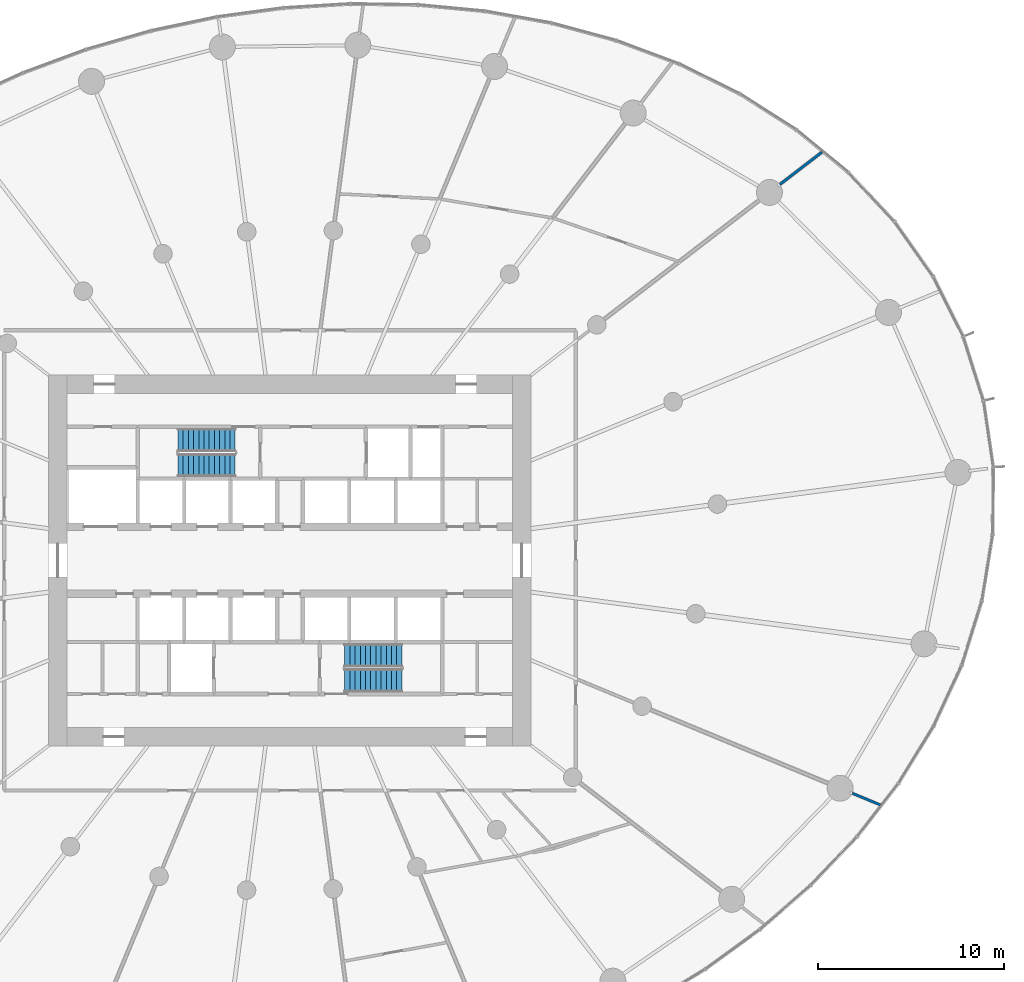
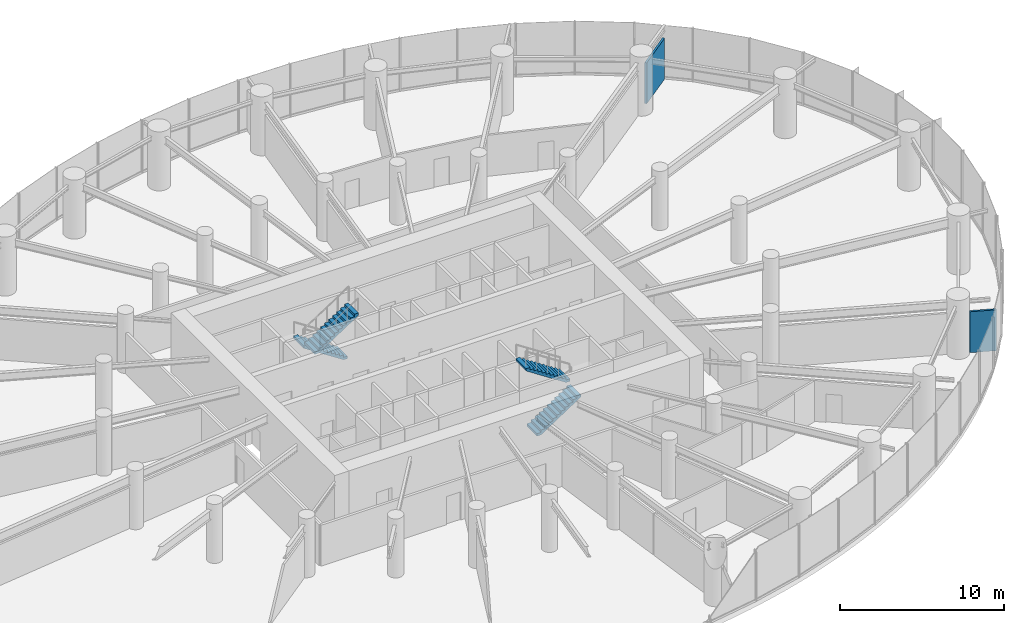
# One storey, part 15 of 18: 4 stair flights, 2 walls, 2 elements without a shape of their own.
"""IFC4 building model written with IfcOpenShell, lengths in metres."""

from ifc_helpers import new_model, si_unit, direction, frame, frame_2d, origin, place, context, subcontext, project, spatial, line, indexed_curve, rectangle, outline, extrude, material, layer, layer_set, type_object, element, aggregate, save


model = new_model("IFC4")

# Units and contexts
model_context = context("Model", 3, precision=1e-05, world=origin(), true_north=direction((0.0, 1.0)))
body_context = subcontext(model_context, "Body", "Model", "MODEL_VIEW")
ifc_project = project(units=[si_unit("LENGTHUNIT", "METRE"), si_unit("AREAUNIT", "SQUARE_METRE"), si_unit("VOLUMEUNIT", "CUBIC_METRE"), si_unit("PLANEANGLEUNIT", "RADIAN"), si_unit("MASSUNIT", "GRAM", prefix="KILO")], contexts=[model_context])

# Site, building, storey
site_placement = place(None, origin())
site = spatial("IfcSite", under=ifc_project, at=site_placement, CompositionType="ELEMENT")
building_placement = place(site_placement, origin())
building = spatial("IfcBuilding", under=site, at=building_placement, Name="Spindrift Exchange Tower", CompositionType="ELEMENT")
storey_placement = place(building_placement, frame((0.0, 0.0, 62.199951171875)))
storey = spatial("IfcBuildingStorey", under=building, at=storey_placement, Name="L14", CompositionType="ELEMENT", Elevation=62.199951171875)

# Walls
ifc_material_1 = material(Name="Fire-rated plasterboard partition", Category="gypsum")
ifc_layer_1 = layer(ifc_material_1, 0.139892578125)
ifc_layer_set_1 = layer_set([ifc_layer_1], Name="W-PART-140")
wall_type_1 = type_object("IfcWallType", Name="W-PART-140", PredefinedType="PARTITIONING", material=ifc_layer_set_1)
wall_1_placement = place(storey_placement, frame((78.394287109375, 68.253173828125, 0.0), z_axis=(0.0, 0.0, 1.0), x_axis=(0.793354252031, 0.608760240804, 0.0)))
element("IfcWall", 1, at=wall_1_placement, inside=storey, type_object=wall_type_1, Name="L14 Partition wall 93", PredefinedType="PARTITIONING", context=body_context, shape_type="SweptSolid", body=[
    extrude(rectangle(XDim=2.86865234375, YDim=0.139892578125, at=frame_2d((1.434326171875, 0.0))), origin(), (0.0, 0.0, 1.0), 3.050048828125),
])
ifc_layer_2 = layer(ifc_material_1, 0.139892578125)
ifc_layer_set_2 = layer_set([ifc_layer_2], Name="W-PLANT-140")
wall_type_2 = type_object("IfcWallType", Name="W-PLANT-140", PredefinedType="PARTITIONING", material=ifc_layer_set_2)
wall_2_placement = place(storey_placement, frame((82.2958984375, 35.450927734375, 0.0), z_axis=(0.0, 0.0, 1.0), x_axis=(0.923875488976, -0.382693194178, 0.0)))
element("IfcWall", 2, at=wall_2_placement, inside=storey, type_object=wall_type_2, Name="L14 Partition wall 107", PredefinedType="PARTITIONING", context=body_context, shape_type="SweptSolid", body=[
    extrude(rectangle(XDim=1.64208984375, YDim=0.139892578125, at=frame_2d((0.821044921875, 0.0))), origin(), (0.0, 0.0, 1.0), 3.050048828125),
])

# Stair, stair flights
ifc_material_2 = material(Name="Concrete 50 MPa", Category="concrete")
stair_type = type_object("IfcStairType", Name="ST-1250-R183", PredefinedType="HALF_TURN_STAIR", material=ifc_material_2)
stair_1_placement = place(storey_placement, origin())
stair_1 = element("IfcStair", 3, at=stair_1_placement, inside=storey, type_object=stair_type, Name="L14 Exit stair ST1", PredefinedType="HALF_TURN_STAIR")
stair_flight_type = type_object("IfcStairFlightType", Name="STF-1250-R183", PredefinedType="STRAIGHT", material=ifc_material_2)
stair_flight_1_placement = place(storey_placement, frame((49.050048828125, 54.47509765625, 0.0), z_axis=(0.0, 0.0, 1.0), x_axis=(-1.0, 0.0, 0.0)))
stair_flight_1 = element("IfcStairFlight", 4, at=stair_flight_1_placement, type_object=stair_flight_type, Name="ST1 flight 1", NumberOfRisers=12, NumberOfTreads=11, PredefinedType="STRAIGHT", RiserHeight=0.183333333, TreadLength=0.28, context=body_context, shape_type="SweptSolid", body=[
    extrude(outline(indexed_curve([(0.0, 0.0), (0.0, 0.18359375), (0.2802734375, 0.18359375), (0.2802734375, 0.3662109375), (0.5595703125, 0.3662109375), (0.5595703125, 0.5498046875), (0.83984375, 0.5498046875), (0.83984375, 0.7333984375), (1.1201171875, 0.7333984375), (1.1201171875, 0.9169921875), (1.400390625, 0.9169921875), (1.400390625, 1.099609375), (1.6796875, 1.099609375), (1.6796875, 1.283203125), (1.9599609375, 1.283203125), (1.9599609375, 1.466796875), (2.240234375, 1.466796875), (2.240234375, 1.650390625), (2.51953125, 1.650390625), (2.51953125, 1.8330078125), (2.7998046875, 1.8330078125), (2.7998046875, 2.0166015625), (3.080078125, 2.0166015625), (3.080078125, 2.2001953125), (3.080078125, 1.837890625), (0.2734375, 0.0)], segments=[line(1, 2, 3, 4, 5, 6, 7, 8, 9, 10, 11, 12, 13, 14, 15, 16, 17, 18, 19, 20, 21, 22, 23, 24, 25, 26, 1)], self_intersect=False)), frame((0.0, 0.625, 0.0), z_axis=(0.0, -1.0, 0.0), x_axis=(1.0, 0.0, 0.0)), (0.0, 0.0, 1.0), 1.25),
])
stair_flight_2_placement = place(storey_placement, frame((45.969970703125, 53.125, 2.199951171875), z_axis=(0.0, 0.0, 1.0), x_axis=(1.0, 0.0, 0.0)))
stair_flight_2 = element("IfcStairFlight", 5, at=stair_flight_2_placement, type_object=stair_flight_type, Name="ST1 flight 2", NumberOfRisers=12, NumberOfTreads=11, PredefinedType="STRAIGHT", RiserHeight=0.183333333, TreadLength=0.28, context=body_context, shape_type="SweptSolid", body=[
    extrude(outline(indexed_curve([(0.0, 0.0), (0.0, 0.18359375), (0.2802734375, 0.18359375), (0.2802734375, 0.3662109375), (0.5595703125, 0.3662109375), (0.5595703125, 0.5498046875), (0.83984375, 0.5498046875), (0.83984375, 0.7333984375), (1.1201171875, 0.7333984375), (1.1201171875, 0.9169921875), (1.400390625, 0.9169921875), (1.400390625, 1.099609375), (1.6796875, 1.099609375), (1.6796875, 1.283203125), (1.9599609375, 1.283203125), (1.9599609375, 1.466796875), (2.240234375, 1.466796875), (2.240234375, 1.650390625), (2.51953125, 1.650390625), (2.51953125, 1.8330078125), (2.7998046875, 1.8330078125), (2.7998046875, 2.0166015625), (3.080078125, 2.0166015625), (3.080078125, 2.2001953125), (3.080078125, 1.837890625), (0.2734375, 0.0)], segments=[line(1, 2, 3, 4, 5, 6, 7, 8, 9, 10, 11, 12, 13, 14, 15, 16, 17, 18, 19, 20, 21, 22, 23, 24, 25, 26, 1)], self_intersect=False)), frame((0.0, 0.625, 0.0), z_axis=(0.0, -1.0, 0.0), x_axis=(1.0, 0.0, 0.0)), (0.0, 0.0, 1.0), 1.25),
])
aggregate(stair_1, [stair_flight_1, stair_flight_2])

stair_2_placement = place(storey_placement, origin())
stair_2 = element("IfcStair", 6, at=stair_2_placement, inside=storey, type_object=stair_type, Name="L14 Exit stair ST2", PredefinedType="HALF_TURN_STAIR")
stair_flight_3_placement = place(storey_placement, frame((54.949951171875, 41.52490234375, 0.0), z_axis=(0.0, 0.0, 1.0), x_axis=(1.0, 0.0, 0.0)))
stair_flight_3 = element("IfcStairFlight", 7, at=stair_flight_3_placement, type_object=stair_flight_type, Name="ST2 flight 1", NumberOfRisers=12, NumberOfTreads=11, PredefinedType="STRAIGHT", RiserHeight=0.183333333, TreadLength=0.28, context=body_context, shape_type="SweptSolid", body=[
    extrude(outline(indexed_curve([(0.0, 0.0), (0.0, 0.18359375), (0.2802734375, 0.18359375), (0.2802734375, 0.3662109375), (0.5595703125, 0.3662109375), (0.5595703125, 0.5498046875), (0.83984375, 0.5498046875), (0.83984375, 0.7333984375), (1.1201171875, 0.7333984375), (1.1201171875, 0.9169921875), (1.400390625, 0.9169921875), (1.400390625, 1.099609375), (1.6796875, 1.099609375), (1.6796875, 1.283203125), (1.9599609375, 1.283203125), (1.9599609375, 1.466796875), (2.240234375, 1.466796875), (2.240234375, 1.650390625), (2.51953125, 1.650390625), (2.51953125, 1.8330078125), (2.7998046875, 1.8330078125), (2.7998046875, 2.0166015625), (3.080078125, 2.0166015625), (3.080078125, 2.2001953125), (3.080078125, 1.837890625), (0.2734375, 0.0)], segments=[line(1, 2, 3, 4, 5, 6, 7, 8, 9, 10, 11, 12, 13, 14, 15, 16, 17, 18, 19, 20, 21, 22, 23, 24, 25, 26, 1)], self_intersect=False)), frame((0.0, 0.625, 0.0), z_axis=(0.0, -1.0, 0.0), x_axis=(1.0, 0.0, 0.0)), (0.0, 0.0, 1.0), 1.25),
])
stair_flight_4_placement = place(storey_placement, frame((58.030029296875, 42.875, 2.199951171875), z_axis=(0.0, 0.0, 1.0), x_axis=(-1.0, 0.0, 0.0)))
stair_flight_4 = element("IfcStairFlight", 8, at=stair_flight_4_placement, type_object=stair_flight_type, Name="ST2 flight 2", NumberOfRisers=12, NumberOfTreads=11, PredefinedType="STRAIGHT", RiserHeight=0.183333333, TreadLength=0.28, context=body_context, shape_type="SweptSolid", body=[
    extrude(outline(indexed_curve([(0.0, 0.0), (0.0, 0.18359375), (0.2802734375, 0.18359375), (0.2802734375, 0.3662109375), (0.5595703125, 0.3662109375), (0.5595703125, 0.5498046875), (0.83984375, 0.5498046875), (0.83984375, 0.7333984375), (1.1201171875, 0.7333984375), (1.1201171875, 0.9169921875), (1.400390625, 0.9169921875), (1.400390625, 1.099609375), (1.6796875, 1.099609375), (1.6796875, 1.283203125), (1.9599609375, 1.283203125), (1.9599609375, 1.466796875), (2.240234375, 1.466796875), (2.240234375, 1.650390625), (2.51953125, 1.650390625), (2.51953125, 1.8330078125), (2.7998046875, 1.8330078125), (2.7998046875, 2.0166015625), (3.080078125, 2.0166015625), (3.080078125, 2.2001953125), (3.080078125, 1.837890625), (0.2734375, 0.0)], segments=[line(1, 2, 3, 4, 5, 6, 7, 8, 9, 10, 11, 12, 13, 14, 15, 16, 17, 18, 19, 20, 21, 22, 23, 24, 25, 26, 1)], self_intersect=False)), frame((0.0, 0.625, 0.0), z_axis=(0.0, -1.0, 0.0), x_axis=(1.0, 0.0, 0.0)), (0.0, 0.0, 1.0), 1.25),
])
aggregate(stair_2, [stair_flight_3, stair_flight_4])

save(model, "model.ifc")
